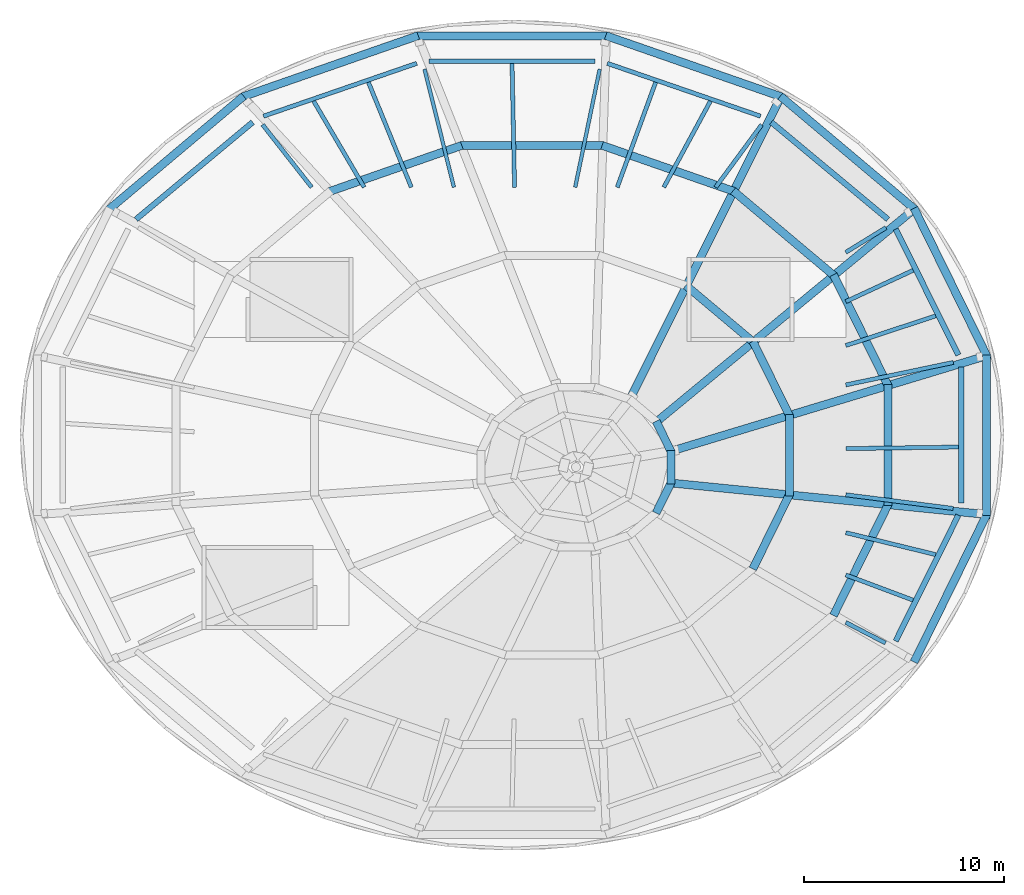
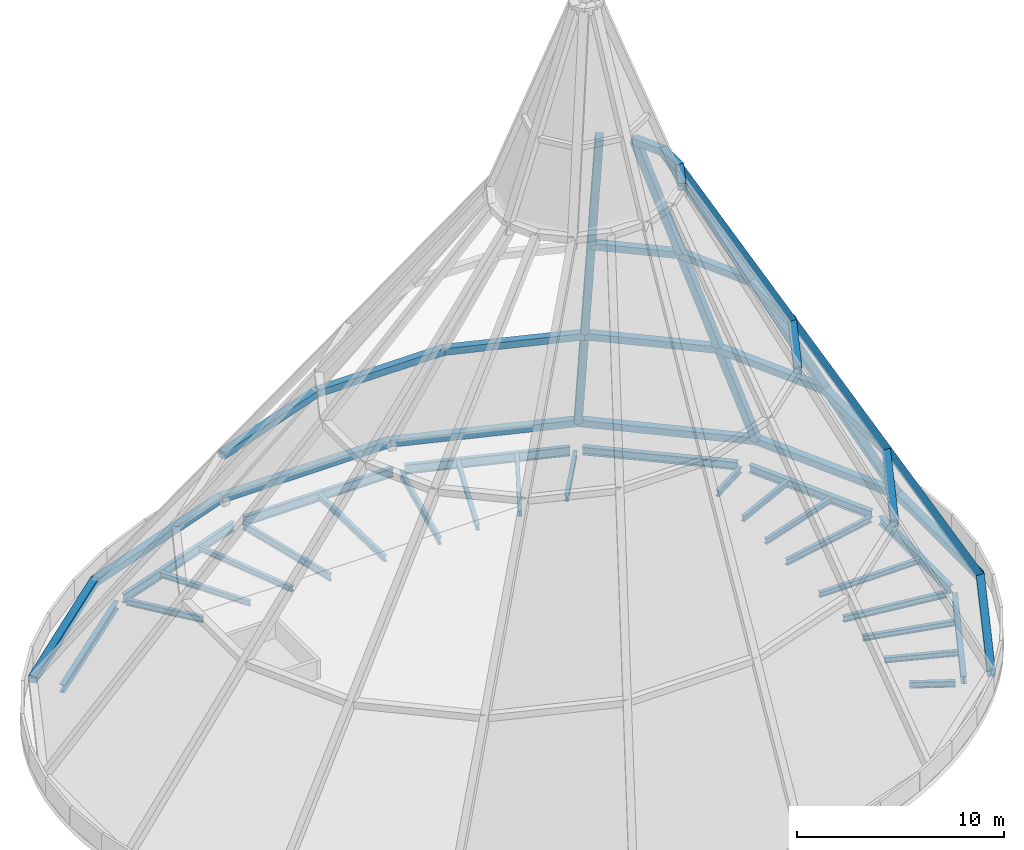
# One storey, part 3 of 7: 26 beams, 26 members, 8 elements without a shape of their own.
"""IFC4 building model written with IfcOpenShell, lengths in metres."""

from ifc_helpers import new_model, si_unit, direction, frame, origin, origin_2d, place, context, subcontext, project, spatial, rectangle, i_section, extrude, material, material_profile, profile_set, type_object, element, aggregate, save


model = new_model("IFC4")

# Units and contexts
model_context = context("Model", 3, precision=1e-05, world=origin(), true_north=direction((0.0, 1.0)))
body_context = subcontext(model_context, "Body", "Model", "MODEL_VIEW")
ifc_project = project(units=[si_unit("LENGTHUNIT", "METRE"), si_unit("AREAUNIT", "SQUARE_METRE"), si_unit("VOLUMEUNIT", "CUBIC_METRE"), si_unit("PLANEANGLEUNIT", "RADIAN"), si_unit("MASSUNIT", "GRAM", prefix="KILO")], contexts=[model_context])

# Site, building, storey
site_placement = place(None, origin())
site = spatial("IfcSite", under=ifc_project, at=site_placement, CompositionType="ELEMENT")
building_placement = place(site_placement, origin())
building = spatial("IfcBuilding", under=site, at=building_placement, Name="Marenthal Gate Tower", CompositionType="ELEMENT")
storey_placement = place(building_placement, frame((0.0, 0.0, 423.550048828125)))
storey = spatial("IfcBuildingStorey", under=building, at=storey_placement, Name="RF", CompositionType="ELEMENT", Elevation=423.550048828125)

# Curtain wall, member
ifc_material_1 = material(Name="Aluminium and glass", Category="aluminium")
curtain_wall_type = type_object("IfcCurtainWallType", Name="Curtain wall crown facet", PredefinedType="NOTDEFINED", material=ifc_material_1)
curtain_wall_1_placement = place(storey_placement, origin())
curtain_wall_1 = element("IfcCurtainWall", 1, at=curtain_wall_1_placement, inside=storey, type_object=curtain_wall_type, Name="Crown facet 1", PredefinedType="NOTDEFINED")
ifc_material_2 = material(Name="Steel S355", Category="steel")
ifc_material_profile_1 = material_profile(ifc_material_2, rectangle(XDim=0.39990234375, YDim=0.39990234375, at=origin_2d()), Name="Crown frame hip 400x400")
ifc_profile_set_1 = profile_set([ifc_material_profile_1], Name="Steel S355")
member_type_1 = type_object("IfcMemberType", Name="CROWN FRAME hip 400x400", PredefinedType="MULLION", material=ifc_profile_set_1)
member_1_placement = place(storey_placement, frame((23.349609375, 4.873779296875, 0.199951171875), z_axis=(-0.478460295193, -0.144724720365, 0.866100745433), x_axis=(0.289525017341, -0.957170446856, 0.0)))
member_1 = element("IfcMember", 2, at=member_1_placement, type_object=member_type_1, Name="Crown frame hip 1", PredefinedType="MULLION", context=body_context, shape_type="SweptSolid", body=[
    extrude(rectangle(XDim=0.39990234375, YDim=0.39990234375, at=origin_2d()), origin(), (0.0, 0.0, 1.0), 33.021728515625),
])

curtain_wall_2_placement = place(storey_placement, origin())
curtain_wall_2 = element("IfcCurtainWall", 3, at=curtain_wall_2_placement, inside=storey, type_object=curtain_wall_type, Name="Crown facet 2", PredefinedType="NOTDEFINED")
member_2_placement = place(storey_placement, frame((19.73388671875, 12.21630859375, 0.199951171875), z_axis=(-0.389506656478, -0.321488318902, 0.863093173052), x_axis=(0.636554155995, -0.771232005615, 0.0)))
member_2 = element("IfcMember", 4, at=member_2_placement, type_object=member_type_1, Name="Crown frame hip 2", PredefinedType="MULLION", context=body_context, shape_type="SweptSolid", body=[
    extrude(rectangle(XDim=0.39990234375, YDim=0.39990234375, at=origin_2d()), origin(), (0.0, 0.0, 1.0), 33.13671875),
])

curtain_wall_3_placement = place(storey_placement, origin())
curtain_wall_3 = element("IfcCurtainWall", 5, at=curtain_wall_3_placement, inside=storey, type_object=curtain_wall_type, Name="Crown facet 3", PredefinedType="NOTDEFINED")
member_3_placement = place(storey_placement, frame((13.052978515625, 17.836181640625, 0.199951171875), z_axis=(-0.227530879285, -0.455796321538, 0.860511134294), x_axis=(0.894715390334, -0.446636731919, 0.0)))
member_3 = element("IfcMember", 6, at=member_3_placement, type_object=member_type_1, Name="Crown frame hip 3", PredefinedType="MULLION", context=body_context, shape_type="SweptSolid", body=[
    extrude(rectangle(XDim=0.39990234375, YDim=0.39990234375, at=origin_2d()), origin(), (0.0, 0.0, 1.0), 33.236083984375),
])

curtain_wall_4_placement = place(storey_placement, origin())
curtain_wall_4 = element("IfcCurtainWall", 7, at=curtain_wall_4_placement, inside=storey, type_object=curtain_wall_type, Name="Crown facet 16", PredefinedType="NOTDEFINED")
member_4_placement = place(storey_placement, frame((23.349609375, -3.07373046875, 0.199951171875), z_axis=(-0.482987590887, 0.04826517423, 0.874295979635), x_axis=(-0.099435212805, -0.99504403845, 0.0)))
member_4 = element("IfcMember", 8, at=member_4_placement, type_object=member_type_1, Name="Crown frame hip 16", PredefinedType="MULLION", context=body_context, shape_type="SweptSolid", body=[
    extrude(rectangle(XDim=0.39990234375, YDim=0.39990234375, at=origin_2d()), origin(), (0.0, 0.0, 1.0), 32.712158203125),
])

# Member
ifc_material_3 = material(Name="Steel S355", Category="steel")
ifc_material_profile_2 = material_profile(ifc_material_3, rectangle(XDim=0.39990234375, YDim=0.39990234375, at=origin_2d()), Name="Crown frame ring 400x400")
ifc_profile_set_2 = profile_set([ifc_material_profile_2], Name="Steel S355")
member_type_2 = type_object("IfcMemberType", Name="CROWN FRAME ring 400x400", PredefinedType="USERDEFINED", material=ifc_profile_set_2)
member_5_placement = place(storey_placement, frame((23.370361328125, 4.83203125, 0.199951171875), z_axis=(-0.441787437726, 0.897119757818, 0.0), x_axis=(-0.897119757818, -0.441787437726, 0.0)))
member_5 = element("IfcMember", 9, at=member_5_placement, type_object=member_type_2, Name="Crown frame base ring beam 1", ObjectType="TRANSOM", PredefinedType="USERDEFINED", context=body_context, shape_type="SweptSolid", body=[
    extrude(rectangle(XDim=0.39990234375, YDim=0.39990234375, at=origin_2d()), origin(), (0.0, 0.0, 1.0), 8.273193359375),
])

member_6_placement = place(storey_placement, frame((18.432861328125, 3.338623046875, 9.0), z_axis=(-0.441779181949, 0.897123823336, 0.0), x_axis=(-0.897123823336, -0.441779181949, 0.0)))
member_6 = element("IfcMember", 10, at=member_6_placement, type_object=member_type_2, Name="Crown frame ring 1.1", ObjectType="TRANSOM", PredefinedType="USERDEFINED", context=body_context, shape_type="SweptSolid", body=[
    extrude(rectangle(XDim=0.39990234375, YDim=0.39990234375, at=origin_2d()), origin(), (0.0, 0.0, 1.0), 6.22705078125),
])

member_7_placement = place(storey_placement, frame((13.495361328125, 1.84521484375, 18.0), z_axis=(-0.441762844713, 0.897131868251, 0.0), x_axis=(-0.897131868251, -0.441762844713, 0.0)))
member_7 = element("IfcMember", 11, at=member_7_placement, type_object=member_type_2, Name="Crown frame ring 1.2", ObjectType="TRANSOM", PredefinedType="USERDEFINED", context=body_context, shape_type="SweptSolid", body=[
    extrude(rectangle(XDim=0.39990234375, YDim=0.39990234375, at=origin_2d()), origin(), (0.0, 0.0, 1.0), 4.180908203125),
])

member_8_placement = place(storey_placement, frame((7.570556640625, 0.052978515625, 28.800048828125), z_axis=(-0.441771636661, 0.897127538894, 0.0), x_axis=(-0.897127538894, -0.441771636661, 0.0)))
member_8 = element("IfcMember", 12, at=member_8_placement, type_object=member_type_2, Name="Crown frame ring 1.3", ObjectType="TRANSOM", PredefinedType="USERDEFINED", context=body_context, shape_type="SweptSolid", body=[
    extrude(rectangle(XDim=0.39990234375, YDim=0.39990234375, at=origin_2d()), origin(), (0.0, 0.0, 1.0), 1.725341796875),
])

aggregate(curtain_wall_1, [member_1, member_5, member_6, member_7, member_8])

member_9_placement = place(storey_placement, frame((19.76611328125, 12.189453125, 0.199951171875), z_axis=(-0.765268995459, 0.643710621778, 0.0), x_axis=(-0.643710621778, -0.765268995459, 0.0)))
member_9 = element("IfcMember", 13, at=member_9_placement, type_object=member_type_2, Name="Crown frame base ring beam 2", ObjectType="TRANSOM", PredefinedType="USERDEFINED", context=body_context, shape_type="SweptSolid", body=[
    extrude(rectangle(XDim=0.39990234375, YDim=0.39990234375, at=origin_2d()), origin(), (0.0, 0.0, 1.0), 8.808837890625),
])

member_10_placement = place(storey_placement, frame((15.732666015625, 8.8603515625, 9.0), z_axis=(-0.765280822969, 0.643696560497, 0.0), x_axis=(-0.643696560497, -0.765280822969, 0.0)))
member_10 = element("IfcMember", 14, at=member_10_placement, type_object=member_type_2, Name="Crown frame ring 2.1", ObjectType="TRANSOM", PredefinedType="USERDEFINED", context=body_context, shape_type="SweptSolid", body=[
    extrude(rectangle(XDim=0.39990234375, YDim=0.39990234375, at=origin_2d()), origin(), (0.0, 0.0, 1.0), 6.62646484375),
])

member_11_placement = place(storey_placement, frame((11.69921875, 5.53125, 18.0), z_axis=(-0.765277204794, 0.643700862065, 0.0), x_axis=(-0.643700862065, -0.765277204794, 0.0)))
member_11 = element("IfcMember", 15, at=member_11_placement, type_object=member_type_2, Name="Crown frame ring 2.2", ObjectType="TRANSOM", PredefinedType="USERDEFINED", context=body_context, shape_type="SweptSolid", body=[
    extrude(rectangle(XDim=0.39990234375, YDim=0.39990234375, at=origin_2d()), origin(), (0.0, 0.0, 1.0), 4.444091796875),
])

aggregate(curtain_wall_2, [member_2, member_9, member_10, member_11])

member_12_placement = place(storey_placement, frame((13.087890625, 17.823974609375, 0.199951171875), z_axis=(-0.944318791918, 0.329031942569, 0.0), x_axis=(-0.329031942569, -0.944318791918, 0.0)))
member_12 = element("IfcMember", 16, at=member_12_placement, type_object=member_type_2, Name="Crown frame base ring beam 3", ObjectType="TRANSOM", PredefinedType="USERDEFINED", context=body_context, shape_type="SweptSolid", body=[
    extrude(rectangle(XDim=0.39990234375, YDim=0.39990234375, at=origin_2d()), origin(), (0.0, 0.0, 1.0), 9.314208984375),
])

member_13_placement = place(storey_placement, frame((10.724609375, 13.090087890625, 9.0), z_axis=(-0.944326425407, 0.329010033703, 0.0), x_axis=(-0.329010033703, -0.944326425407, 0.0)))
member_13 = element("IfcMember", 17, at=member_13_placement, type_object=member_type_2, Name="Crown frame ring 3.1", ObjectType="TRANSOM", PredefinedType="USERDEFINED", context=body_context, shape_type="SweptSolid", body=[
    extrude(rectangle(XDim=0.39990234375, YDim=0.39990234375, at=origin_2d()), origin(), (0.0, 0.0, 1.0), 7.00341796875),
])

aggregate(curtain_wall_3, [member_3, member_12, member_13])

# Curtain wall, members
curtain_wall_5_placement = place(storey_placement, origin())
curtain_wall_5 = element("IfcCurtainWall", 18, at=curtain_wall_5_placement, inside=storey, type_object=curtain_wall_type, Name="Crown facet 4", PredefinedType="NOTDEFINED")
member_14_placement = place(storey_placement, frame((4.35791015625, 20.877685546875, 0.199951171875), z_axis=(-1.0, 0.0, 0.0), x_axis=(0.0, -1.0, 0.0)))
member_14 = element("IfcMember", 19, at=member_14_placement, type_object=member_type_2, Name="Crown frame base ring beam 4", ObjectType="TRANSOM", PredefinedType="USERDEFINED", context=body_context, shape_type="SweptSolid", body=[
    extrude(rectangle(XDim=0.39990234375, YDim=0.39990234375, at=origin_2d()), origin(), (0.0, 0.0, 1.0), 9.515869140625),
])
member_15_placement = place(storey_placement, frame((4.177001953125, 15.38330078125, 9.0), z_axis=(-1.0, 0.0, 0.0), x_axis=(0.0, -1.0, 0.0)))
member_15 = element("IfcMember", 20, at=member_15_placement, type_object=member_type_2, Name="Crown frame ring 4.1", ObjectType="TRANSOM", PredefinedType="USERDEFINED", context=body_context, shape_type="SweptSolid", body=[
    extrude(rectangle(XDim=0.39990234375, YDim=0.39990234375, at=origin_2d()), origin(), (0.0, 0.0, 1.0), 7.15380859375),
])
aggregate(curtain_wall_5, [member_14, member_15])

curtain_wall_6_placement = place(storey_placement, origin())
curtain_wall_6 = element("IfcCurtainWall", 21, at=curtain_wall_6_placement, inside=storey, type_object=curtain_wall_type, Name="Crown facet 5", PredefinedType="NOTDEFINED")
member_16_placement = place(storey_placement, frame((-5.092041015625, 20.888671875, 0.199951171875), z_axis=(-0.944321629514, -0.329023798581, 0.0), x_axis=(0.329023798581, -0.944321629514, 0.0)))
member_16 = element("IfcMember", 22, at=member_16_placement, type_object=member_type_2, Name="Crown frame base ring beam 5", ObjectType="TRANSOM", PredefinedType="USERDEFINED", context=body_context, shape_type="SweptSolid", body=[
    extrude(rectangle(XDim=0.39990234375, YDim=0.39990234375, at=origin_2d()), origin(), (0.0, 0.0, 1.0), 9.314453125),
])
member_17_placement = place(storey_placement, frame((-2.9111328125, 15.394287109375, 9.0), z_axis=(-0.944326425407, -0.329010033703, 0.0), x_axis=(0.329010033703, -0.944326425407, 0.0)))
member_17 = element("IfcMember", 23, at=member_17_placement, type_object=member_type_2, Name="Crown frame ring 5.1", ObjectType="TRANSOM", PredefinedType="USERDEFINED", context=body_context, shape_type="SweptSolid", body=[
    extrude(rectangle(XDim=0.39990234375, YDim=0.39990234375, at=origin_2d()), origin(), (0.0, 0.0, 1.0), 7.00341796875),
])
aggregate(curtain_wall_6, [member_16, member_17])

# Curtain wall, member
curtain_wall_7_placement = place(storey_placement, origin())
curtain_wall_7 = element("IfcCurtainWall", 24, at=curtain_wall_7_placement, inside=storey, type_object=curtain_wall_type, Name="Crown facet 6", PredefinedType="NOTDEFINED")
member_18_placement = place(storey_placement, frame((-13.824951171875, 17.85986328125, 0.199951171875), z_axis=(-0.765268995459, -0.643710621778, 0.0), x_axis=(0.643710621778, -0.765268995459, 0.0)))
member_18 = element("IfcMember", 25, at=member_18_placement, type_object=member_type_2, Name="Crown frame base ring beam 6", ObjectType="TRANSOM", PredefinedType="USERDEFINED", context=body_context, shape_type="SweptSolid", body=[
    extrude(rectangle(XDim=0.39990234375, YDim=0.39990234375, at=origin_2d()), origin(), (0.0, 0.0, 1.0), 8.808837890625),
])
aggregate(curtain_wall_7, [member_18])

# Curtain wall, members
curtain_wall_8_placement = place(storey_placement, origin())
curtain_wall_8 = element("IfcCurtainWall", 26, at=curtain_wall_8_placement, inside=storey, type_object=curtain_wall_type, Name="Crown facet 15", PredefinedType="NOTDEFINED")
member_19_placement = place(storey_placement, frame((19.71533203125, -10.4541015625, 0.199951171875), z_axis=(0.441787437726, 0.897119757818, 0.0), x_axis=(-0.897119757818, 0.441787437726, 0.0)))
member_19 = element("IfcMember", 27, at=member_19_placement, type_object=member_type_2, Name="Crown frame base ring beam 15", ObjectType="TRANSOM", PredefinedType="USERDEFINED", context=body_context, shape_type="SweptSolid", body=[
    extrude(rectangle(XDim=0.39990234375, YDim=0.39990234375, at=origin_2d()), origin(), (0.0, 0.0, 1.0), 8.273193359375),
])
member_20_placement = place(storey_placement, frame((15.681884765625, -8.125, 9.0), z_axis=(0.441779181949, 0.897123823336, 0.0), x_axis=(-0.897123823336, 0.441779181949, 0.0)))
member_20 = element("IfcMember", 28, at=member_20_placement, type_object=member_type_2, Name="Crown frame ring 15.1", ObjectType="TRANSOM", PredefinedType="USERDEFINED", context=body_context, shape_type="SweptSolid", body=[
    extrude(rectangle(XDim=0.39990234375, YDim=0.39990234375, at=origin_2d()), origin(), (0.0, 0.0, 1.0), 6.22705078125),
])
member_21_placement = place(storey_placement, frame((11.6484375, -5.7958984375, 18.0), z_axis=(0.441762844713, 0.897131868251, 0.0), x_axis=(-0.897131868251, 0.441762844713, 0.0)))
member_21 = element("IfcMember", 29, at=member_21_placement, type_object=member_type_2, Name="Crown frame ring 15.2", ObjectType="TRANSOM", PredefinedType="USERDEFINED", context=body_context, shape_type="SweptSolid", body=[
    extrude(rectangle(XDim=0.39990234375, YDim=0.39990234375, at=origin_2d()), origin(), (0.0, 0.0, 1.0), 4.180908203125),
])
member_22_placement = place(storey_placement, frame((6.808349609375, -3.0009765625, 28.800048828125), z_axis=(0.441715561761, 0.897155149625, 0.0), x_axis=(-0.897155149625, 0.441715561761, 0.0)))
member_22 = element("IfcMember", 30, at=member_22_placement, type_object=member_type_2, Name="Crown frame ring 15.3", ObjectType="TRANSOM", PredefinedType="USERDEFINED", context=body_context, shape_type="SweptSolid", body=[
    extrude(rectangle(XDim=0.39990234375, YDim=0.39990234375, at=origin_2d()), origin(), (0.0, 0.0, 1.0), 1.7255859375),
])
aggregate(curtain_wall_8, [member_19, member_20, member_21, member_22])

# Member
member_23_placement = place(storey_placement, frame((23.349609375, -3.120361328125, 0.199951171875), z_axis=(0.0, 1.0, 0.0), x_axis=(-1.0, 0.0, 0.0)))
member_23 = element("IfcMember", 31, at=member_23_placement, type_object=member_type_2, Name="Crown frame base ring beam 16", ObjectType="TRANSOM", PredefinedType="USERDEFINED", context=body_context, shape_type="SweptSolid", body=[
    extrude(rectangle(XDim=0.39990234375, YDim=0.39990234375, at=origin_2d()), origin(), (0.0, 0.0, 1.0), 8.040771484375),
])

member_24_placement = place(storey_placement, frame((18.412353515625, -2.626953125, 9.0), z_axis=(0.0, 1.0, 0.0), x_axis=(-1.0, 0.0, 0.0)))
member_24 = element("IfcMember", 32, at=member_24_placement, type_object=member_type_2, Name="Crown frame ring 16.1", ObjectType="TRANSOM", PredefinedType="USERDEFINED", context=body_context, shape_type="SweptSolid", body=[
    extrude(rectangle(XDim=0.39990234375, YDim=0.39990234375, at=origin_2d()), origin(), (0.0, 0.0, 1.0), 6.053955078125),
])

member_25_placement = place(storey_placement, frame((13.474853515625, -2.133544921875, 18.0), z_axis=(0.0, 1.0, 0.0), x_axis=(-1.0, 0.0, 0.0)))
member_25 = element("IfcMember", 33, at=member_25_placement, type_object=member_type_2, Name="Crown frame ring 16.2", ObjectType="TRANSOM", PredefinedType="USERDEFINED", context=body_context, shape_type="SweptSolid", body=[
    extrude(rectangle(XDim=0.39990234375, YDim=0.39990234375, at=origin_2d()), origin(), (0.0, 0.0, 1.0), 4.067138671875),
])

member_26_placement = place(storey_placement, frame((7.550048828125, -1.541259765625, 28.800048828125), z_axis=(0.0, 1.0, 0.0), x_axis=(-1.0, 0.0, 0.0)))
member_26 = element("IfcMember", 34, at=member_26_placement, type_object=member_type_2, Name="Crown frame ring 16.3", ObjectType="TRANSOM", PredefinedType="USERDEFINED", context=body_context, shape_type="SweptSolid", body=[
    extrude(rectangle(XDim=0.39990234375, YDim=0.39990234375, at=origin_2d()), origin(), (0.0, 0.0, 1.0), 1.6826171875),
])

aggregate(curtain_wall_4, [member_4, member_23, member_24, member_25, member_26])

# Beams
ifc_material_4 = material(Name="Steel S355", Category="steel")
ifc_material_profile_3 = material_profile(ifc_material_4, i_section(OverallWidth=0.205078125, OverallDepth=0.31005859375, WebThickness=0.009521484375, FlangeThickness=0.016357421875, FilletRadius=0.0126953125, at=origin_2d()), Name="W310X74")
ifc_profile_set_3 = profile_set([ifc_material_profile_3], Name="Steel S355")
beam_type_1 = type_object("IfcBeamType", Name="W310X74 beam", PredefinedType="BEAM", material=ifc_profile_set_3)
beam_1_placement = place(storey_placement, frame((20.80029296875, 6.867431640625, -0.455078125), z_axis=(-0.949580960124, -0.313521929329, 0.0), x_axis=(0.313521929329, -0.949580960124, 0.0)))
element("IfcBeam", 35, at=beam_1_placement, inside=storey, type_object=beam_type_1, Name="BM-RF-17", PredefinedType="BEAM", context=body_context, shape_type="SweptSolid", body=[
    extrude(i_section(OverallWidth=0.205078125, OverallDepth=0.31005859375, WebThickness=0.009521484375, FlangeThickness=0.016357421875, FilletRadius=0.0126953125, at=origin_2d()), origin(), (0.0, 0.0, 1.0), 4.7392578125),
])
beam_2_placement = place(storey_placement, frame((19.6669921875, 9.14404296875, -0.455078125), z_axis=(-0.906781913298, -0.421600002035, 0.0), x_axis=(0.421600002035, -0.906781913298, 0.0)))
element("IfcBeam", 36, at=beam_2_placement, inside=storey, type_object=beam_type_1, Name="BM-RF-18", PredefinedType="BEAM", context=body_context, shape_type="SweptSolid", body=[
    extrude(i_section(OverallWidth=0.205078125, OverallDepth=0.31005859375, WebThickness=0.009521484375, FlangeThickness=0.016357421875, FilletRadius=0.0126953125, at=origin_2d()), origin(), (0.0, 0.0, 1.0), 3.713134765625),
])
beam_3_placement = place(storey_placement, frame((9.5263671875, 17.60986328125, -0.455078125), z_axis=(-0.475819217465, -0.879543104283, 0.0), x_axis=(0.879543104283, -0.475819217465, 0.0)))
element("IfcBeam", 37, at=beam_3_placement, inside=storey, type_object=beam_type_1, Name="BM-RF-19", PredefinedType="BEAM", context=body_context, shape_type="SweptSolid", body=[
    extrude(i_section(OverallWidth=0.205078125, OverallDepth=0.31005859375, WebThickness=0.009521484375, FlangeThickness=0.016357421875, FilletRadius=0.0126953125, at=origin_2d()), origin(), (0.0, 0.0, 1.0), 4.900146484375),
])
beam_4_placement = place(storey_placement, frame((6.78759765625, 18.553955078125, -0.455078125), z_axis=(-0.343574960122, -0.93912525617, 0.0), x_axis=(0.93912525617, -0.343574960122, 0.0)))
element("IfcBeam", 38, at=beam_4_placement, inside=storey, type_object=beam_type_1, Name="BM-RF-20", PredefinedType="BEAM", context=body_context, shape_type="SweptSolid", body=[
    extrude(i_section(OverallWidth=0.205078125, OverallDepth=0.31005859375, WebThickness=0.009521484375, FlangeThickness=0.016357421875, FilletRadius=0.0126953125, at=origin_2d()), origin(), (0.0, 0.0, 1.0), 5.594482421875),
])
beam_5_placement = place(storey_placement, frame((-7.583740234375, 18.55517578125, -0.455078125), z_axis=(0.378349838385, -0.925662681431, 0.0), x_axis=(0.925662681431, 0.378349838385, 0.0)))
element("IfcBeam", 39, at=beam_5_placement, inside=storey, type_object=beam_type_1, Name="BM-RF-22", PredefinedType="BEAM", context=body_context, shape_type="SweptSolid", body=[
    extrude(i_section(OverallWidth=0.205078125, OverallDepth=0.31005859375, WebThickness=0.009521484375, FlangeThickness=0.016357421875, FilletRadius=0.0126953125, at=origin_2d()), origin(), (0.0, 0.0, 1.0), 5.67724609375),
])
beam_6_placement = place(storey_placement, frame((-10.32275390625, 17.611083984375, -0.455078125), z_axis=(0.505674359947, -0.862724429753, 0.0), x_axis=(0.862724429753, 0.505674359947, 0.0)))
element("IfcBeam", 40, at=beam_6_placement, inside=storey, type_object=beam_type_1, Name="BM-RF-23", PredefinedType="BEAM", context=body_context, shape_type="SweptSolid", body=[
    extrude(i_section(OverallWidth=0.205078125, OverallDepth=0.31005859375, WebThickness=0.009521484375, FlangeThickness=0.016357421875, FilletRadius=0.0126953125, at=origin_2d()), origin(), (0.0, 0.0, 1.0), 4.9970703125),
])
beam_7_placement = place(storey_placement, frame((19.662353515625, -7.353759765625, -0.455078125), z_axis=(-0.936630683201, 0.350318374177, 0.0), x_axis=(-0.350318374177, -0.936630683201, 0.0)))
element("IfcBeam", 41, at=beam_7_placement, inside=storey, type_object=beam_type_1, Name="BM-RF-33", PredefinedType="BEAM", context=body_context, shape_type="SweptSolid", body=[
    extrude(i_section(OverallWidth=0.205078125, OverallDepth=0.31005859375, WebThickness=0.009521484375, FlangeThickness=0.016357421875, FilletRadius=0.0126953125, at=origin_2d()), origin(), (0.0, 0.0, 1.0), 3.58984375),
])
beam_8_placement = place(storey_placement, frame((20.795166015625, -5.07763671875, -0.455078125), z_axis=(-0.971456313354, 0.237218530569, 0.0), x_axis=(-0.237218530569, -0.971456313354, 0.0)))
element("IfcBeam", 42, at=beam_8_placement, inside=storey, type_object=beam_type_1, Name="BM-RF-34", PredefinedType="BEAM", context=body_context, shape_type="SweptSolid", body=[
    extrude(i_section(OverallWidth=0.205078125, OverallDepth=0.31005859375, WebThickness=0.009521484375, FlangeThickness=0.016357421875, FilletRadius=0.0126953125, at=origin_2d()), origin(), (0.0, 0.0, 1.0), 4.627197265625),
])
beam_9_placement = place(storey_placement, frame((21.935302734375, 0.302734375, -0.455078125), z_axis=(-0.999905111069, -0.013775661785, 0.0), x_axis=(0.013775661785, -0.999905111069, 0.0)))
element("IfcBeam", 43, at=beam_9_placement, inside=storey, type_object=beam_type_1, Name="BM-RF-35", PredefinedType="BEAM", context=body_context, shape_type="SweptSolid", body=[
    extrude(i_section(OverallWidth=0.205078125, OverallDepth=0.31005859375, WebThickness=0.009521484375, FlangeThickness=0.016357421875, FilletRadius=0.0126953125, at=origin_2d()), origin(), (0.0, 0.0, 1.0), 5.6357421875),
])
ifc_material_5 = material(Name="Steel S355", Category="steel")
ifc_material_profile_4 = material_profile(ifc_material_5, i_section(OverallWidth=0.205078125, OverallDepth=0.35302734375, WebThickness=0.009521484375, FlangeThickness=0.016845703125, FilletRadius=0.014892578125, at=origin_2d()), Name="W360X79")
ifc_profile_set_4 = profile_set([ifc_material_profile_4], Name="Steel S355")
beam_type_2 = type_object("IfcBeamType", Name="W360X79 beam", PredefinedType="BEAM", material=ifc_profile_set_4)
beam_10_placement = place(storey_placement, frame((21.682861328125, 4.5380859375, -0.4765625), z_axis=(-0.97879683535, -0.204833481418, 0.0), x_axis=(0.204833481418, -0.97879683535, 0.0)))
element("IfcBeam", 44, at=beam_10_placement, inside=storey, type_object=beam_type_2, Name="BM-RF-01", PredefinedType="BEAM", context=body_context, shape_type="SweptSolid", body=[
    extrude(i_section(OverallWidth=0.205078125, OverallDepth=0.35302734375, WebThickness=0.009521484375, FlangeThickness=0.016845703125, FilletRadius=0.014892578125, at=origin_2d()), origin(), (0.0, 0.0, 1.0), 5.49951171875),
])
beam_11_placement = place(storey_placement, frame((18.306640625, 11.28076171875, -0.4765625), z_axis=(-0.85132740108, -0.524634783607, 0.0), x_axis=(0.524634783607, -0.85132740108, 0.0)))
element("IfcBeam", 45, at=beam_11_placement, inside=storey, type_object=beam_type_2, Name="BM-RF-02", PredefinedType="BEAM", context=body_context, shape_type="SweptSolid", body=[
    extrude(i_section(OverallWidth=0.205078125, OverallDepth=0.35302734375, WebThickness=0.009521484375, FlangeThickness=0.016845703125, FilletRadius=0.014892578125, at=origin_2d()), origin(), (0.0, 0.0, 1.0), 2.35693359375),
])
beam_12_placement = place(storey_placement, frame((12.089599609375, 16.42724609375, -0.4765625), z_axis=(-0.592742096067, -0.805392331445, 0.0), x_axis=(0.805392331445, -0.592742096067, 0.0)))
element("IfcBeam", 46, at=beam_12_placement, inside=storey, type_object=beam_type_2, Name="BM-RF-03", PredefinedType="BEAM", context=body_context, shape_type="SweptSolid", body=[
    extrude(i_section(OverallWidth=0.205078125, OverallDepth=0.35302734375, WebThickness=0.009521484375, FlangeThickness=0.016845703125, FilletRadius=0.014892578125, at=origin_2d()), origin(), (0.0, 0.0, 1.0), 3.8828125),
])
beam_13_placement = place(storey_placement, frame((-12.877197265625, 16.431640625, -0.4765625), z_axis=(0.616821048064, -0.787103420565, 0.0), x_axis=(0.787103420565, 0.616821048064, 0.0)))
element("IfcBeam", 47, at=beam_13_placement, inside=storey, type_object=beam_type_2, Name="BM-RF-06", PredefinedType="BEAM", context=body_context, shape_type="SweptSolid", body=[
    extrude(i_section(OverallWidth=0.205078125, OverallDepth=0.35302734375, WebThickness=0.009521484375, FlangeThickness=0.016845703125, FilletRadius=0.014892578125, at=origin_2d()), origin(), (0.0, 0.0, 1.0), 3.978515625),
])
beam_14_placement = place(storey_placement, frame((18.282470703125, -9.501708984375, -0.4765625), z_axis=(-0.887279410497, 0.46123231425, 0.0), x_axis=(-0.46123231425, -0.887279410497, 0.0)))
element("IfcBeam", 48, at=beam_14_placement, inside=storey, type_object=beam_type_2, Name="BM-RF-15", PredefinedType="BEAM", context=body_context, shape_type="SweptSolid", body=[
    extrude(i_section(OverallWidth=0.205078125, OverallDepth=0.35302734375, WebThickness=0.009521484375, FlangeThickness=0.016845703125, FilletRadius=0.014892578125, at=origin_2d()), origin(), (0.0, 0.0, 1.0), 2.234375),
])
beam_15_placement = place(storey_placement, frame((21.6728515625, -2.768798828125, -0.4765625), z_axis=(-0.991940742227, 0.126702659445, 0.0), x_axis=(-0.126702659445, -0.991940742227, 0.0)))
element("IfcBeam", 49, at=beam_15_placement, inside=storey, type_object=beam_type_2, Name="BM-RF-16", PredefinedType="BEAM", context=body_context, shape_type="SweptSolid", body=[
    extrude(i_section(OverallWidth=0.205078125, OverallDepth=0.35302734375, WebThickness=0.009521484375, FlangeThickness=0.016845703125, FilletRadius=0.014892578125, at=origin_2d()), origin(), (0.0, 0.0, 1.0), 5.41650390625),
])
beam_16_placement = place(storey_placement, frame((-0.397705078125, 19.49658203125, -0.4765625), z_axis=(0.020365343238, -0.999792604891, 0.0), x_axis=(0.999792604891, 0.020365343238, 0.0)))
element("IfcBeam", 50, at=beam_16_placement, inside=storey, type_object=beam_type_2, Name="BM-RF-21", PredefinedType="BEAM", context=body_context, shape_type="SweptSolid", body=[
    extrude(i_section(OverallWidth=0.205078125, OverallDepth=0.35302734375, WebThickness=0.009521484375, FlangeThickness=0.016845703125, FilletRadius=0.014892578125, at=origin_2d()), origin(), (0.0, 0.0, 1.0), 6.19775390625),
])
ifc_material_6 = material(Name="Steel S355", Category="steel")
ifc_material_profile_5 = material_profile(ifc_material_6, i_section(OverallWidth=0.180908203125, OverallDepth=0.4169921875, WebThickness=0.010986328125, FlangeThickness=0.018310546875, FilletRadius=0.01025390625, at=origin_2d()), Name="W410X85")
ifc_profile_set_5 = profile_set([ifc_material_profile_5], Name="Steel S355")
beam_type_3 = type_object("IfcBeamType", Name="W410X85 beam", PredefinedType="BEAM", material=ifc_profile_set_5)
beam_17_placement = place(storey_placement, frame((3.989013671875, 19.210205078125, -0.508544921875), z_axis=(-0.203321076416, -0.979112118138, 0.0), x_axis=(0.979112118138, -0.203321076416, 0.0)))
element("IfcBeam", 51, at=beam_17_placement, inside=storey, type_object=beam_type_3, Name="BM-RF-04", PredefinedType="BEAM", context=body_context, shape_type="SweptSolid", body=[
    extrude(i_section(OverallWidth=0.180908203125, OverallDepth=0.4169921875, WebThickness=0.010986328125, FlangeThickness=0.018310546875, FilletRadius=0.01025390625, at=origin_2d()), origin(), (0.0, 0.0, 1.0), 6.0361328125),
])
beam_18_placement = place(storey_placement, frame((-4.7734375, 19.211669921875, -0.508544921875), z_axis=(0.241158531048, -0.970485735548, 0.0), x_axis=(0.970485735548, 0.241158531048, 0.0)))
element("IfcBeam", 52, at=beam_18_placement, inside=storey, type_object=beam_type_3, Name="BM-RF-05", PredefinedType="BEAM", context=body_context, shape_type="SweptSolid", body=[
    extrude(i_section(OverallWidth=0.180908203125, OverallDepth=0.4169921875, WebThickness=0.010986328125, FlangeThickness=0.018310546875, FilletRadius=0.01025390625, at=origin_2d()), origin(), (0.0, 0.0, 1.0), 6.09130859375),
])
ifc_material_7 = material(Name="Steel S355", Category="steel")
ifc_material_profile_6 = material_profile(ifc_material_7, i_section(OverallWidth=0.279052734375, OverallDepth=0.4619140625, WebThickness=0.0107421875, FlangeThickness=0.017333984375, FilletRadius=0.010009765625, at=origin_2d()), Name="W460X113")
ifc_profile_set_6 = profile_set([ifc_material_profile_6], Name="Steel S355")
beam_type_4 = type_object("IfcBeamType", Name="W460X113 beam", PredefinedType="BEAM", material=ifc_profile_set_6)
beam_19_placement = place(storey_placement, frame((21.931640625, 4.90771484375, -0.531005859375), z_axis=(-0.44561730548, 0.895223557027, 0.0), x_axis=(-0.895223557027, -0.44561730548, 0.0)))
element("IfcBeam", 53, at=beam_19_placement, inside=storey, type_object=beam_type_4, Name="BM-RF-36", PredefinedType="BEAM", context=body_context, shape_type="SweptSolid", body=[
    extrude(i_section(OverallWidth=0.279052734375, OverallDepth=0.4619140625, WebThickness=0.0107421875, FlangeThickness=0.017333984375, FilletRadius=0.010009765625, at=origin_2d()), origin(), (0.0, 0.0, 1.0), 7.03857421875),
])
beam_20_placement = place(storey_placement, frame((18.409912109375, 11.696533203125, -0.531005859375), z_axis=(-0.768663792634, 0.639653010541, 0.0), x_axis=(-0.639653010541, -0.768663792634, 0.0)))
element("IfcBeam", 54, at=beam_20_placement, inside=storey, type_object=beam_type_4, Name="BM-RF-37", PredefinedType="BEAM", context=body_context, shape_type="SweptSolid", body=[
    extrude(i_section(OverallWidth=0.279052734375, OverallDepth=0.4619140625, WebThickness=0.0107421875, FlangeThickness=0.017333984375, FilletRadius=0.010009765625, at=origin_2d()), origin(), (0.0, 0.0, 1.0), 7.59423828125),
])
beam_21_placement = place(storey_placement, frame((-13.372314453125, 16.55419921875, -0.531005859375), z_axis=(-0.76867694578, -0.639637204223, 0.0), x_axis=(0.639637204223, -0.76867694578, 0.0)))
element("IfcBeam", 55, at=beam_21_placement, inside=storey, type_object=beam_type_4, Name="BM-RF-41", PredefinedType="BEAM", context=body_context, shape_type="SweptSolid", body=[
    extrude(i_section(OverallWidth=0.279052734375, OverallDepth=0.4619140625, WebThickness=0.0107421875, FlangeThickness=0.017333984375, FilletRadius=0.010009765625, at=origin_2d()), origin(), (0.0, 0.0, 1.0), 7.594482421875),
])
beam_22_placement = place(storey_placement, frame((18.795166015625, -9.40869140625, -0.531005859375), z_axis=(0.44561730548, 0.895223557027, 0.0), x_axis=(-0.895223557027, 0.44561730548, 0.0)))
element("IfcBeam", 56, at=beam_22_placement, inside=storey, type_object=beam_type_4, Name="BM-RF-50", PredefinedType="BEAM", context=body_context, shape_type="SweptSolid", body=[
    extrude(i_section(OverallWidth=0.279052734375, OverallDepth=0.4619140625, WebThickness=0.0107421875, FlangeThickness=0.017333984375, FilletRadius=0.010009765625, at=origin_2d()), origin(), (0.0, 0.0, 1.0), 7.03857421875),
])
beam_23_placement = place(storey_placement, frame((22.07470703125, -2.497802734375, -0.531005859375), z_axis=(0.0, 1.0, 0.0), x_axis=(-1.0, 0.0, 0.0)))
element("IfcBeam", 57, at=beam_23_placement, inside=storey, type_object=beam_type_4, Name="BM-RF-51", PredefinedType="BEAM", context=body_context, shape_type="SweptSolid", body=[
    extrude(i_section(OverallWidth=0.279052734375, OverallDepth=0.4619140625, WebThickness=0.0107421875, FlangeThickness=0.017333984375, FilletRadius=0.010009765625, at=origin_2d()), origin(), (0.0, 0.0, 1.0), 6.79541015625),
])
ifc_material_8 = material(Name="Steel S355", Category="steel")
ifc_material_profile_7 = material_profile(ifc_material_8, i_section(OverallWidth=0.2119140625, OverallDepth=0.5439453125, WebThickness=0.01318359375, FlangeThickness=0.021240234375, FilletRadius=0.0126953125, at=origin_2d()), Name="W530X123")
ifc_profile_set_7 = profile_set([ifc_material_profile_7], Name="Steel S355")
beam_type_5 = type_object("IfcBeamType", Name="W530X123 beam", PredefinedType="BEAM", material=ifc_profile_set_7)
beam_24_placement = place(storey_placement, frame((12.035400390625, 16.857177734375, -0.572021484375), z_axis=(-0.945408151913, 0.325888671628, 0.0), x_axis=(-0.325888671628, -0.945408151913, 0.0)))
element("IfcBeam", 58, at=beam_24_placement, inside=storey, type_object=beam_type_5, Name="BM-RF-38", PredefinedType="BEAM", context=body_context, shape_type="SweptSolid", body=[
    extrude(i_section(OverallWidth=0.2119140625, OverallDepth=0.5439453125, WebThickness=0.01318359375, FlangeThickness=0.021240234375, FilletRadius=0.0126953125, at=origin_2d()), origin(), (0.0, 0.0, 1.0), 8.11328125),
])
beam_25_placement = place(storey_placement, frame((3.759521484375, 19.6025390625, -0.572021484375), z_axis=(-1.0, 0.0, 0.0), x_axis=(0.0, -1.0, 0.0)))
element("IfcBeam", 59, at=beam_25_placement, inside=storey, type_object=beam_type_5, Name="BM-RF-39", PredefinedType="BEAM", context=body_context, shape_type="SweptSolid", body=[
    extrude(i_section(OverallWidth=0.2119140625, OverallDepth=0.5439453125, WebThickness=0.01318359375, FlangeThickness=0.021240234375, FilletRadius=0.0126953125, at=origin_2d()), origin(), (0.0, 0.0, 1.0), 8.319091796875),
])
beam_26_placement = place(storey_placement, frame((-5.164794921875, 19.501220703125, -0.572021484375), z_axis=(-0.945411347575, -0.325879400816, 0.0), x_axis=(0.325879400816, -0.945411347575, 0.0)))
element("IfcBeam", 60, at=beam_26_placement, inside=storey, type_object=beam_type_5, Name="BM-RF-40", PredefinedType="BEAM", context=body_context, shape_type="SweptSolid", body=[
    extrude(i_section(OverallWidth=0.2119140625, OverallDepth=0.5439453125, WebThickness=0.01318359375, FlangeThickness=0.021240234375, FilletRadius=0.0126953125, at=origin_2d()), origin(), (0.0, 0.0, 1.0), 8.113525390625),
])

save(model, "model.ifc")
